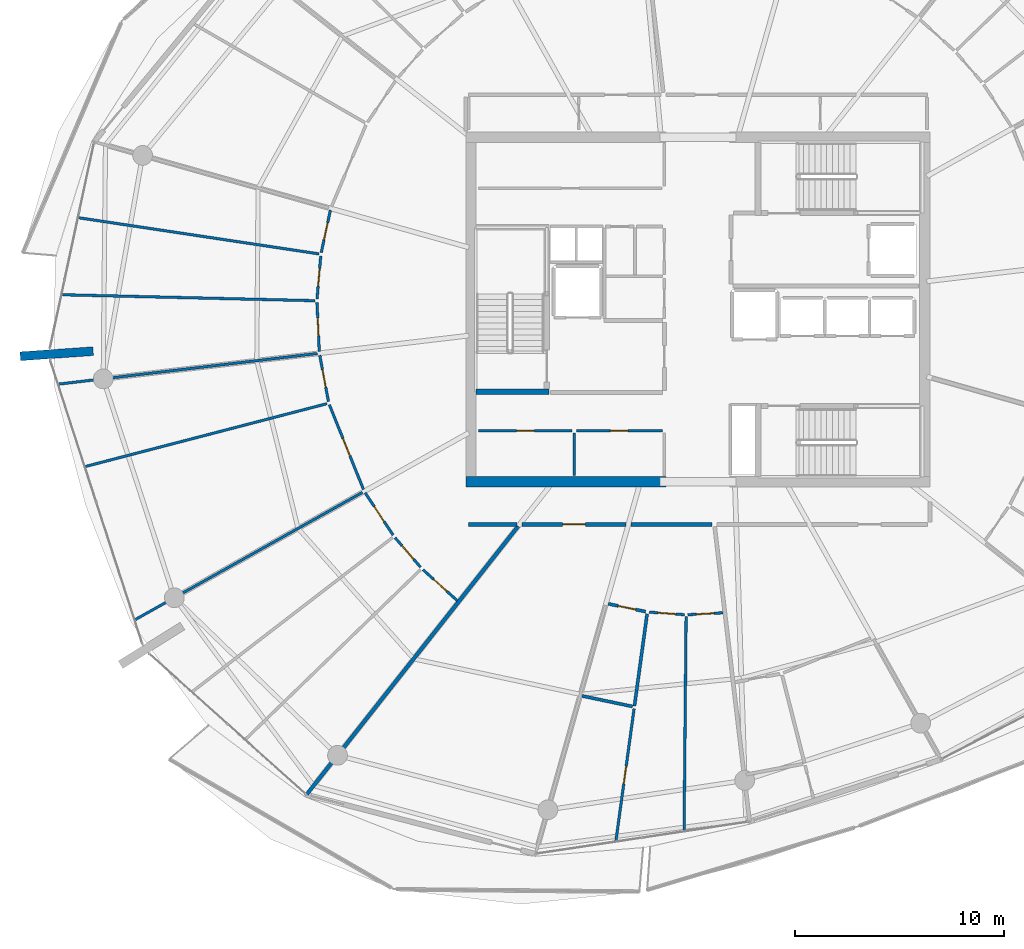
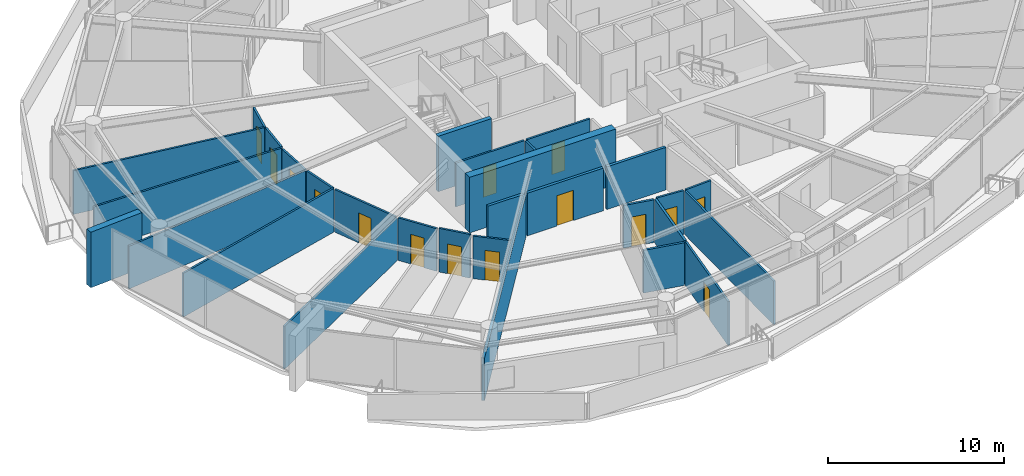
# One storey, part 18 of 31: 30 walls, 15 doors, 15 openings.
"""IFC4 building model written with IfcOpenShell, lengths in metres."""

from ifc_helpers import new_model, si_unit, direction, frame, frame_2d, origin, place, context, subcontext, project, spatial, rectangle, extrude, material, layer, layer_set, type_object, element, fill, save


model = new_model("IFC4")

# Units and contexts
model_context = context("Model", 3, precision=1e-05, world=origin(), true_north=direction((0.0, 1.0)))
body_context = subcontext(model_context, "Body", "Model", "MODEL_VIEW")
ifc_project = project(units=[si_unit("LENGTHUNIT", "METRE"), si_unit("AREAUNIT", "SQUARE_METRE"), si_unit("VOLUMEUNIT", "CUBIC_METRE"), si_unit("PLANEANGLEUNIT", "RADIAN"), si_unit("MASSUNIT", "GRAM", prefix="KILO")], contexts=[model_context])

# Site, building, storey
site_placement = place(None, origin())
site = spatial("IfcSite", under=ifc_project, at=site_placement, CompositionType="ELEMENT")
building_placement = place(site_placement, origin())
building = spatial("IfcBuilding", under=site, at=building_placement, Name="Kazma Halo Residences", CompositionType="ELEMENT")
storey_placement = place(building_placement, frame((0.0, 0.0, 275.199951171875)))
storey = spatial("IfcBuildingStorey", under=building, at=storey_placement, Name="L69", CompositionType="ELEMENT", Elevation=275.199951171875)

# Walls
ifc_material_1 = material(Name="Pale Concrete C60/75", Category="concrete")
ifc_layer_1 = layer(ifc_material_1, 0.419921875)
ifc_layer_set_1 = layer_set([ifc_layer_1], Name="Pale Concrete C60/75")
wall_type_1 = type_object("IfcWallType", Name="WL-BLADE-420", PredefinedType="SOLIDWALL", material=ifc_layer_set_1)
wall_1_placement = place(storey_placement, frame((19.4375, 40.002685546875, 0.0), z_axis=(0.0, 0.0, 1.0), x_axis=(-0.997563824095, -0.069759707979, 0.0)))
element("IfcWall", 1, at=wall_1_placement, inside=storey, type_object=wall_type_1, Name="L69 pale concrete structural blade fin wall BW-02", PredefinedType="SOLIDWALL", context=body_context, shape_type="SweptSolid", body=[
    extrude(rectangle(XDim=3.499755859375, YDim=0.419921875, at=frame_2d((1.75, 0.0))), origin(), (0.0, 0.0, 1.0), 3.85009765625),
])
ifc_material_2 = material(Name="Concrete C60/75", Category="concrete")
ifc_layer_2 = layer(ifc_material_2, 0.5)
ifc_layer_set_2 = layer_set([ifc_layer_2], Name="Concrete C60/75")
wall_type_2 = type_object("IfcWallType", Name="WL-CORE-500", PredefinedType="SHEAR", material=ifc_layer_set_2)
wall_2_placement = place(storey_placement, frame((37.300048828125, 33.75, 0.0), z_axis=(0.0, 0.0, 1.0), x_axis=(1.0, 0.0, 0.0)))
element("IfcWall", 2, at=wall_2_placement, inside=storey, type_object=wall_type_2, Name="L69 central core shear wall SW", PredefinedType="SHEAR", context=body_context, shape_type="SweptSolid", body=[
    extrude(rectangle(XDim=9.599853515625, YDim=0.5, at=frame_2d((4.7998046875, 0.0))), origin(), (0.0, 0.0, 1.0), 3.85009765625),
])
ifc_layer_3 = layer(ifc_material_2, 0.280029296875)
ifc_layer_set_3 = layer_set([ifc_layer_3], Name="Concrete C60/75")
wall_type_3 = type_object("IfcWallType", Name="WL-CORE-ST-280", PredefinedType="SHEAR", material=ifc_layer_set_3)
wall_3_placement = place(storey_placement, frame((37.800048828125, 38.06005859375, 0.0), z_axis=(0.0, 0.0, 1.0), x_axis=(1.0, 0.0, 0.0)))
element("IfcWall", 3, at=wall_3_placement, inside=storey, type_object=wall_type_3, Name="L69 stairwell bearing wall ST01-S", PredefinedType="SHEAR", context=body_context, shape_type="SweptSolid", body=[
    extrude(rectangle(XDim=3.5, YDim=0.280029296875, at=frame_2d((1.75, 0.0))), origin(), (0.0, 0.0, 1.0), 3.85009765625),
])
ifc_material_3 = material(Name="Acoustic Twin-Stud Gypsum")
ifc_layer_4 = layer(ifc_material_3, 0.179931640625)
ifc_layer_set_4 = layer_set([ifc_layer_4], Name="Acoustic Twin-Stud Gypsum")
wall_type_4 = type_object("IfcWallType", Name="WL-DEM-180", PredefinedType="PARTITIONING", material=ifc_layer_set_4)
wall_4_placement = place(storey_placement, frame((39.81201171875, 31.613525390625, 0.0), z_axis=(0.0, 0.0, 1.0), x_axis=(-0.619097230176, -0.785314344443, 0.0)))
element("IfcWall", 4, at=wall_4_placement, inside=storey, type_object=wall_type_4, Name="L69 apartment demising radial wall 09", PredefinedType="PARTITIONING", context=body_context, shape_type="SweptSolid", body=[
    extrude(rectangle(XDim=16.369873046875, YDim=0.179931640625, at=frame_2d((8.18505859375, 0.0))), origin(), (0.0, 0.0, 1.0), 2.95703125),
])
wall_5_placement = place(storey_placement, frame((37.419921875, 31.699951171875, 0.0), z_axis=(0.0, 0.0, 1.0), x_axis=(1.0, 0.0, 0.0)))
element("IfcWall", 5, at=wall_5_placement, inside=storey, type_object=wall_type_4, Name="L69 Apartment 1 inner wall 8", PredefinedType="PARTITIONING", context=body_context, shape_type="SweptSolid", body=[
    extrude(rectangle(XDim=2.340087890625, YDim=0.179931640625, at=frame_2d((1.169921875, 0.0))), origin(), (0.0, 0.0, 1.0), 2.95703125),
])

# Wall, opening, door
wall_6_placement = place(storey_placement, frame((40.0, 31.699951171875, 0.0), z_axis=(0.0, 0.0, 1.0), x_axis=(1.0, 0.0, 0.0)))
wall_6 = element("IfcWall", 6, at=wall_6_placement, inside=storey, type_object=wall_type_4, Name="L69 Apartment 2 entrance corridor wall", PredefinedType="PARTITIONING", context=body_context, shape_type="SweptSolid", body=[
    extrude(rectangle(XDim=4.97509765625, YDim=0.179931640625, at=frame_2d((2.487548828125, 0.0))), origin(), (0.0, 0.0, 1.0), 2.95703125),
])
opening_1_placement = place(wall_6_placement, frame((1.9375, 0.0, 0.0)))
opening_1 = element("IfcOpeningElement", 7, at=opening_1_placement, cuts=wall_6, Name="Opening DA-1100", PredefinedType="OPENING", context=body_context, shape_type="SweptSolid", body=[
    extrude(rectangle(XDim=1.10009765625, YDim=2.10009765625, at=frame_2d((0.550048828125, 1.050048828125))), frame((0.0, 0.099853515625, 0.0), z_axis=(0.0, -1.0, 0.0), x_axis=(1.0, 0.0, 0.0)), (0.0, 0.0, 1.0), 0.199951171875),
])
ifc_material_4 = material(Name="Acoustic Walnut Fire Leaf")
door_type_1 = type_object("IfcDoorType", Name="DR-FD60-1100", OperationType="NOTDEFINED", PredefinedType="DOOR", material=ifc_material_4)
door_1_placement = place(opening_1_placement, origin())
door_1 = element("IfcDoor", 8, at=door_1_placement, inside=storey, type_object=door_type_1, Name="L69 Apartment 2 entrance fire door", OperationType="SINGLE_SWING_RIGHT", OverallHeight=2.10009765625, OverallWidth=1.10009765625, PredefinedType="DOOR", context=body_context, shape_type="SweptSolid", body=[
    extrude(rectangle(XDim=1.10009765625, YDim=2.10009765625, at=frame_2d((0.550048828125, 1.050048828125))), frame((0.0, 0.02490234375, 0.0), z_axis=(0.0, -1.0, 0.0), x_axis=(1.0, 0.0, 0.0)), (0.0, 0.0, 1.0), 0.050048828125),
])
fill(opening_1, door_1)

# Walls
wall_7_placement = place(storey_placement, frame((45.215087890625, 31.699951171875, 0.0), z_axis=(0.0, 0.0, 1.0), x_axis=(1.0, 0.0, 0.0)))
element("IfcWall", 9, at=wall_7_placement, inside=storey, type_object=wall_type_4, Name="L69 Apartment 2 inner wall 10", PredefinedType="PARTITIONING", context=body_context, shape_type="SweptSolid", body=[
    extrude(rectangle(XDim=3.884033203125, YDim=0.179931640625, at=frame_2d((1.94189453125, 0.0))), origin(), (0.0, 0.0, 1.0), 2.95703125),
])
ifc_material_5 = material(Name="Gypsum Plasterboard Partition")
ifc_layer_5 = layer(ifc_material_5, 0.125)
ifc_layer_set_5 = layer_set([ifc_layer_5], Name="Gypsum Plasterboard Partition")
wall_type_5 = type_object("IfcWallType", Name="WL-PART-125", PredefinedType="PARTITIONING", material=ifc_layer_set_5)
wall_8_placement = place(storey_placement, frame((42.5, 34.050048828125, 0.0), z_axis=(0.0, 0.0, 1.0), x_axis=(0.0, 1.0, 0.0)))
element("IfcWall", 10, at=wall_8_placement, inside=storey, type_object=wall_type_5, Name="L69 reclaimed south divider wall", PredefinedType="PARTITIONING", context=body_context, shape_type="SweptSolid", body=[
    extrude(rectangle(XDim=2.030029296875, YDim=0.125, at=frame_2d((1.01513671875, 0.0))), origin(), (0.0, 0.0, 1.0), 3.030029296875),
])

# Wall, opening, door
wall_9_placement = place(storey_placement, frame((37.919921875, 36.179931640625, 0.0), z_axis=(0.0, 0.0, 1.0), x_axis=(1.0, 0.0, 0.0)))
wall_9 = element("IfcWall", 11, at=wall_9_placement, inside=storey, type_object=wall_type_5, Name="L69 reclaimed south W front wall", PredefinedType="PARTITIONING", context=body_context, shape_type="SweptSolid", body=[
    extrude(rectangle(XDim=4.47998046875, YDim=0.125, at=frame_2d((2.239990234375, 0.0))), origin(), (0.0, 0.0, 1.0), 3.030029296875),
])
opening_2_placement = place(wall_9_placement, frame((1.81494140625, 0.0, 0.0)))
opening_2 = element("IfcOpeningElement", 12, at=opening_2_placement, cuts=wall_9, Name="Opening DS-850", PredefinedType="OPENING", context=body_context, shape_type="SweptSolid", body=[
    extrude(rectangle(XDim=0.85009765625, YDim=2.06005859375, at=frame_2d((0.425048828125, 1.030029296875))), frame((0.0, 0.072509765625, 0.0), z_axis=(0.0, -1.0, 0.0), x_axis=(1.0, 0.0, 0.0)), (0.0, 0.0, 1.0), 0.14501953125),
])
ifc_material_6 = material(Name="Painted Steel Access Leaf", Category="steel")
door_type_2 = type_object("IfcDoorType", Name="DR-SVC-850", OperationType="NOTDEFINED", PredefinedType="DOOR", material=ifc_material_6)
door_2_placement = place(opening_2_placement, origin())
door_2 = element("IfcDoor", 13, at=door_2_placement, inside=storey, type_object=door_type_2, Name="L69 reclaimed south W door", OperationType="SINGLE_SWING_RIGHT", OverallHeight=2.06005859375, OverallWidth=0.85009765625, PredefinedType="DOOR", context=body_context, shape_type="SweptSolid", body=[
    extrude(rectangle(XDim=0.85009765625, YDim=2.06005859375, at=frame_2d((0.425048828125, 1.030029296875))), frame((0.0, 0.02490234375, 0.0), z_axis=(0.0, -1.0, 0.0), x_axis=(1.0, 0.0, 0.0)), (0.0, 0.0, 1.0), 0.050048828125),
])
fill(opening_2, door_2)

wall_10_placement = place(storey_placement, frame((42.60009765625, 36.179931640625, 0.0), z_axis=(0.0, 0.0, 1.0), x_axis=(1.0, 0.0, 0.0)))
wall_10 = element("IfcWall", 14, at=wall_10_placement, inside=storey, type_object=wall_type_5, Name="L69 reclaimed south E front wall", PredefinedType="PARTITIONING", context=body_context, shape_type="SweptSolid", body=[
    extrude(rectangle(XDim=4.119873046875, YDim=0.125, at=frame_2d((2.06005859375, 0.0))), origin(), (0.0, 0.0, 1.0), 3.030029296875),
])
opening_3_placement = place(wall_10_placement, frame((1.635009765625, 0.0, 0.0)))
opening_3 = element("IfcOpeningElement", 15, at=opening_3_placement, cuts=wall_10, Name="Opening DS-850", PredefinedType="OPENING", context=body_context, shape_type="SweptSolid", body=[
    extrude(rectangle(XDim=0.85009765625, YDim=2.06005859375, at=frame_2d((0.425048828125, 1.030029296875))), frame((0.0, 0.072509765625, 0.0), z_axis=(0.0, -1.0, 0.0), x_axis=(1.0, 0.0, 0.0)), (0.0, 0.0, 1.0), 0.14501953125),
])
door_3_placement = place(opening_3_placement, origin())
door_3 = element("IfcDoor", 16, at=door_3_placement, inside=storey, type_object=door_type_2, Name="L69 reclaimed south E door", OperationType="SINGLE_SWING_LEFT", OverallHeight=2.06005859375, OverallWidth=0.85009765625, PredefinedType="DOOR", context=body_context, shape_type="SweptSolid", body=[
    extrude(rectangle(XDim=0.85009765625, YDim=2.06005859375, at=frame_2d((0.425048828125, 1.030029296875))), frame((0.0, 0.02490234375, 0.0), z_axis=(0.0, -1.0, 0.0), x_axis=(1.0, 0.0, 0.0)), (0.0, 0.0, 1.0), 0.050048828125),
])
fill(opening_3, door_3)

# Walls
wall_11_placement = place(storey_placement, frame((30.267333984375, 44.666015625, 0.0), z_axis=(0.0, 0.0, 1.0), x_axis=(-0.988886077573, 0.148675235266, 0.0)))
element("IfcWall", 17, at=wall_11_placement, inside=storey, type_object=wall_type_5, Name="L69 Apartment 1 bay wall 1 6", PredefinedType="PARTITIONING", context=body_context, shape_type="SweptSolid", body=[
    extrude(rectangle(XDim=11.66064453125, YDim=0.125, at=frame_2d((5.830322265625, 0.0))), origin(), (0.0, 0.0, 1.0), 3.030029296875),
])
wall_12_placement = place(storey_placement, frame((30.072998046875, 42.422607421875, 0.0), z_axis=(0.0, 0.0, 1.0), x_axis=(-0.999722774678, 0.023545143653, 0.0)))
element("IfcWall", 18, at=wall_12_placement, inside=storey, type_object=wall_type_5, Name="L69 Apartment 1 bay wall 2 6", PredefinedType="PARTITIONING", context=body_context, shape_type="SweptSolid", body=[
    extrude(rectangle(XDim=12.1318359375, YDim=0.125, at=frame_2d((6.06591796875, 0.0))), origin(), (0.0, 0.0, 1.0), 3.030029296875),
])

# Wall, opening, door
wall_13_placement = place(storey_placement, frame((30.81103515625, 46.764892578125, 0.0), z_axis=(0.0, 0.0, 1.0), x_axis=(-0.210490523381, -0.977595897888, 0.0)))
wall_13 = element("IfcWall", 19, at=wall_13_placement, inside=storey, type_object=wall_type_5, Name="L69 Apartment 1 East Bedroom hall wall", PredefinedType="PARTITIONING", context=body_context, shape_type="SweptSolid", body=[
    extrude(rectangle(XDim=2.080810546875, YDim=0.125, at=frame_2d((1.04052734375, 0.0))), origin(), (0.0, 0.0, 1.0), 2.95703125),
])
opening_4_placement = place(wall_13_placement, frame((0.615234375, 0.0, 0.0)))
opening_4 = element("IfcOpeningElement", 20, at=opening_4_placement, cuts=wall_13, Name="Opening DB-900", PredefinedType="OPENING", context=body_context, shape_type="SweptSolid", body=[
    extrude(rectangle(XDim=0.85009765625, YDim=2.06005859375, at=frame_2d((0.425048828125, 1.030029296875))), frame((0.0, 0.072509765625, 0.0), z_axis=(0.0, -1.0, 0.0), x_axis=(1.0, 0.0, 0.0)), (0.0, 0.0, 1.0), 0.14501953125),
])
ifc_material_7 = material(Name="Moisture-Sealed Timber Leaf", Category="wood")
door_type_3 = type_object("IfcDoorType", Name="DR-BTH-900", OperationType="NOTDEFINED", PredefinedType="DOOR", material=ifc_material_7)
door_4_placement = place(opening_4_placement, origin())
door_4 = element("IfcDoor", 21, at=door_4_placement, inside=storey, type_object=door_type_3, Name="L69 Apartment 1 East Bedroom door", OperationType="SINGLE_SWING_LEFT", OverallHeight=2.06005859375, OverallWidth=0.85009765625, PredefinedType="DOOR", context=body_context, shape_type="SweptSolid", body=[
    extrude(rectangle(XDim=0.85009765625, YDim=2.06005859375, at=frame_2d((0.425048828125, 1.030029296875))), frame((0.0, 0.02490234375, 0.0), z_axis=(0.0, -1.0, 0.0), x_axis=(1.0, 0.0, 0.0)), (0.0, 0.0, 1.0), 0.050048828125),
])
fill(opening_4, door_4)

wall_14_placement = place(storey_placement, frame((30.349365234375, 44.572998046875, 0.0), z_axis=(0.0, 0.0, 1.0), x_axis=(-0.08623974721, -0.996274413001, 0.0)))
wall_14 = element("IfcWall", 22, at=wall_14_placement, inside=storey, type_object=wall_type_5, Name="L69 Apartment 1 West Dressing Wardrobe hall wall", PredefinedType="PARTITIONING", context=body_context, shape_type="SweptSolid", body=[
    extrude(rectangle(XDim=2.080810546875, YDim=0.125, at=frame_2d((1.04052734375, 0.0))), origin(), (0.0, 0.0, 1.0), 3.030029296875),
])
opening_5_placement = place(wall_14_placement, frame((0.615234375, 0.0, 0.0)))
opening_5 = element("IfcOpeningElement", 23, at=opening_5_placement, cuts=wall_14, Name="Opening DB-900", PredefinedType="OPENING", context=body_context, shape_type="SweptSolid", body=[
    extrude(rectangle(XDim=0.85009765625, YDim=2.06005859375, at=frame_2d((0.425048828125, 1.030029296875))), frame((0.0, 0.072509765625, 0.0), z_axis=(0.0, -1.0, 0.0), x_axis=(1.0, 0.0, 0.0)), (0.0, 0.0, 1.0), 0.14501953125),
])
door_5_placement = place(opening_5_placement, origin())
door_5 = element("IfcDoor", 24, at=door_5_placement, inside=storey, type_object=door_type_3, Name="L69 Apartment 1 West Dressing Wardrobe door", OperationType="SINGLE_SWING_RIGHT", OverallHeight=2.06005859375, OverallWidth=0.85009765625, PredefinedType="DOOR", context=body_context, shape_type="SweptSolid", body=[
    extrude(rectangle(XDim=0.85009765625, YDim=2.06005859375, at=frame_2d((0.425048828125, 1.030029296875))), frame((0.0, 0.02490234375, 0.0), z_axis=(0.0, -1.0, 0.0), x_axis=(1.0, 0.0, 0.0)), (0.0, 0.0, 1.0), 0.050048828125),
])
fill(opening_5, door_5)

wall_15_placement = place(storey_placement, frame((30.166748046875, 42.340576171875, 0.0), z_axis=(0.0, 0.0, 1.0), x_axis=(0.047063871423, -0.998891882041, 0.0)))
wall_15 = element("IfcWall", 25, at=wall_15_placement, inside=storey, type_object=wall_type_5, Name="L69 Apartment 1 North Master Bedroom hall wall", PredefinedType="PARTITIONING", context=body_context, shape_type="SweptSolid", body=[
    extrude(rectangle(XDim=2.3603515625, YDim=0.125, at=frame_2d((1.18017578125, 0.0))), origin(), (0.0, 0.0, 1.0), 2.95703125),
])
opening_6_placement = place(wall_15_placement, frame((0.755126953125, 0.0, 0.0)))
opening_6 = element("IfcOpeningElement", 26, at=opening_6_placement, cuts=wall_15, Name="Opening DB-900", PredefinedType="OPENING", context=body_context, shape_type="SweptSolid", body=[
    extrude(rectangle(XDim=0.85009765625, YDim=2.06005859375, at=frame_2d((0.425048828125, 1.030029296875))), frame((0.0, 0.072509765625, 0.0), z_axis=(0.0, -1.0, 0.0), x_axis=(1.0, 0.0, 0.0)), (0.0, 0.0, 1.0), 0.14501953125),
])
door_6_placement = place(opening_6_placement, origin())
door_6 = element("IfcDoor", 27, at=door_6_placement, inside=storey, type_object=door_type_3, Name="L69 Apartment 1 North Master Bedroom door", OperationType="SINGLE_SWING_LEFT", OverallHeight=2.06005859375, OverallWidth=0.85009765625, PredefinedType="DOOR", context=body_context, shape_type="SweptSolid", body=[
    extrude(rectangle(XDim=0.85009765625, YDim=2.06005859375, at=frame_2d((0.425048828125, 1.030029296875))), frame((0.0, 0.02490234375, 0.0), z_axis=(0.0, -1.0, 0.0), x_axis=(1.0, 0.0, 0.0)), (0.0, 0.0, 1.0), 0.050048828125),
])
fill(opening_6, door_6)

# Walls
wall_16_placement = place(storey_placement, frame((30.182373046875, 39.89111328125, 0.0), z_axis=(0.0, 0.0, 1.0), x_axis=(-0.993068421431, -0.117537697601, 0.0)))
element("IfcWall", 28, at=wall_16_placement, inside=storey, type_object=wall_type_5, Name="L69 Apartment 1 radial partition 7", PredefinedType="PARTITIONING", context=body_context, shape_type="SweptSolid", body=[
    extrude(rectangle(XDim=12.48779296875, YDim=0.125, at=frame_2d((6.243896484375, 0.0))), origin(), (0.0, 0.0, 1.0), 2.95703125),
])
wall_17_placement = place(storey_placement, frame((30.6455078125, 37.48583984375, 0.0), z_axis=(0.0, 0.0, 1.0), x_axis=(-0.967801832841, -0.251713353539, 0.0)))
element("IfcWall", 29, at=wall_17_placement, inside=storey, type_object=wall_type_5, Name="L69 Apartment 1 mid-bay wall 7", PredefinedType="PARTITIONING", context=body_context, shape_type="SweptSolid", body=[
    extrude(rectangle(XDim=11.9658203125, YDim=0.125, at=frame_2d((5.98291015625, 0.0))), origin(), (0.0, 0.0, 1.0), 3.030029296875),
])

# Wall, opening, door
wall_18_placement = place(storey_placement, frame((30.30029296875, 39.8046875, 0.0), z_axis=(0.0, 0.0, 1.0), x_axis=(0.185013596113, -0.982735961107, 0.0)))
wall_18 = element("IfcWall", 30, at=wall_18_placement, inside=storey, type_object=wall_type_5, Name="L69 Apartment 1 South Wine Pantry Store hall wall", PredefinedType="PARTITIONING", context=body_context, shape_type="SweptSolid", body=[
    extrude(rectangle(XDim=2.256591796875, YDim=0.125, at=frame_2d((1.12841796875, 0.0))), origin(), (0.0, 0.0, 1.0), 2.95703125),
])
opening_7_placement = place(wall_18_placement, frame((0.703125, 0.0, 0.0)))
opening_7 = element("IfcOpeningElement", 31, at=opening_7_placement, cuts=wall_18, Name="Opening DB-900", PredefinedType="OPENING", context=body_context, shape_type="SweptSolid", body=[
    extrude(rectangle(XDim=0.85009765625, YDim=2.06005859375, at=frame_2d((0.425048828125, 1.030029296875))), frame((0.0, 0.072509765625, 0.0), z_axis=(0.0, -1.0, 0.0), x_axis=(1.0, 0.0, 0.0)), (0.0, 0.0, 1.0), 0.14501953125),
])
door_7_placement = place(opening_7_placement, origin())
door_7 = element("IfcDoor", 32, at=door_7_placement, inside=storey, type_object=door_type_3, Name="L69 Apartment 1 South Wine Pantry Store door", OperationType="SINGLE_SWING_LEFT", OverallHeight=2.06005859375, OverallWidth=0.85009765625, PredefinedType="DOOR", context=body_context, shape_type="SweptSolid", body=[
    extrude(rectangle(XDim=0.85009765625, YDim=2.06005859375, at=frame_2d((0.425048828125, 1.030029296875))), frame((0.0, 0.02490234375, 0.0), z_axis=(0.0, -1.0, 0.0), x_axis=(1.0, 0.0, 0.0)), (0.0, 0.0, 1.0), 0.050048828125),
])
fill(opening_7, door_7)

wall_19_placement = place(storey_placement, frame((30.762451171875, 37.434326171875, 0.0), z_axis=(0.0, 0.0, 1.0), x_axis=(0.373208088993, -0.927747660903, 0.0)))
wall_19 = element("IfcWall", 33, at=wall_19_placement, inside=storey, type_object=wall_type_5, Name="L69 Apartment 1 Inner Formal Dining Room hall wall", PredefinedType="PARTITIONING", context=body_context, shape_type="SweptSolid", body=[
    extrude(rectangle(XDim=4.375732421875, YDim=0.125, at=frame_2d((2.18798828125, 0.0))), origin(), (0.0, 0.0, 1.0), 2.95703125),
])
opening_8_placement = place(wall_19_placement, frame((1.73779296875, 0.0, 0.0)))
opening_8 = element("IfcOpeningElement", 34, at=opening_8_placement, cuts=wall_19, Name="Opening DI-950", PredefinedType="OPENING", context=body_context, shape_type="SweptSolid", body=[
    extrude(rectangle(XDim=0.89990234375, YDim=2.080078125, at=frame_2d((0.449951171875, 1.0400390625))), frame((0.0, 0.072509765625, 0.0), z_axis=(0.0, -1.0, 0.0), x_axis=(1.0, 0.0, 0.0)), (0.0, 0.0, 1.0), 0.14501953125),
])
ifc_material_8 = material(Name="Timber Veneer Flush Leaf", Category="wood")
door_type_4 = type_object("IfcDoorType", Name="DR-INT-950", OperationType="NOTDEFINED", PredefinedType="DOOR", material=ifc_material_8)
door_8_placement = place(opening_8_placement, origin())
door_8 = element("IfcDoor", 35, at=door_8_placement, inside=storey, type_object=door_type_4, Name="L69 Apartment 1 Inner Formal Dining Room door", OperationType="SINGLE_SWING_RIGHT", OverallHeight=2.080078125, OverallWidth=0.89990234375, PredefinedType="DOOR", context=body_context, shape_type="SweptSolid", body=[
    extrude(rectangle(XDim=0.89990234375, YDim=2.080078125, at=frame_2d((0.449951171875, 1.0400390625))), frame((0.0, 0.02490234375, 0.0), z_axis=(0.0, -1.0, 0.0), x_axis=(1.0, 0.0, 0.0)), (0.0, 0.0, 1.0), 0.050048828125),
])
fill(opening_8, door_8)

# Wall
wall_20_placement = place(storey_placement, frame((32.345703125, 33.233154296875, 0.0), z_axis=(0.0, 0.0, 1.0), x_axis=(-0.872495014167, -0.488623014454, 0.0)))
element("IfcWall", 36, at=wall_20_placement, inside=storey, type_object=wall_type_5, Name="L69 Apartment 1 radial partition 8", PredefinedType="PARTITIONING", context=body_context, shape_type="SweptSolid", body=[
    extrude(rectangle(XDim=12.48779296875, YDim=0.125, at=frame_2d((6.243896484375, 0.0))), origin(), (0.0, 0.0, 1.0), 2.95703125),
])

# Wall, opening, door
wall_21_placement = place(storey_placement, frame((32.47705078125, 33.215087890625, 0.0), z_axis=(0.0, 0.0, 1.0), x_axis=(0.550682631302, -0.834714705502, 0.0)))
wall_21 = element("IfcWall", 37, at=wall_21_placement, inside=storey, type_object=wall_type_5, Name="L69 Apartment 1 Outer Master Bedroom hall wall", PredefinedType="PARTITIONING", context=body_context, shape_type="SweptSolid", body=[
    extrude(rectangle(XDim=2.429931640625, YDim=0.125, at=frame_2d((1.21484375, 0.0))), origin(), (0.0, 0.0, 1.0), 2.95703125),
])
opening_9_placement = place(wall_21_placement, frame((0.7900390625, 0.0, 0.0)))
opening_9 = element("IfcOpeningElement", 38, at=opening_9_placement, cuts=wall_21, Name="Opening DB-900", PredefinedType="OPENING", context=body_context, shape_type="SweptSolid", body=[
    extrude(rectangle(XDim=0.85009765625, YDim=2.06005859375, at=frame_2d((0.425048828125, 1.030029296875))), frame((0.0, 0.072509765625, 0.0), z_axis=(0.0, -1.0, 0.0), x_axis=(1.0, 0.0, 0.0)), (0.0, 0.0, 1.0), 0.14501953125),
])
door_9_placement = place(opening_9_placement, origin())
door_9 = element("IfcDoor", 39, at=door_9_placement, inside=storey, type_object=door_type_3, Name="L69 Apartment 1 Outer Master Bedroom door", OperationType="SINGLE_SWING_LEFT", OverallHeight=2.06005859375, OverallWidth=0.85009765625, PredefinedType="DOOR", context=body_context, shape_type="SweptSolid", body=[
    extrude(rectangle(XDim=0.85009765625, YDim=2.06005859375, at=frame_2d((0.425048828125, 1.030029296875))), frame((0.0, 0.02490234375, 0.0), z_axis=(0.0, -1.0, 0.0), x_axis=(1.0, 0.0, 0.0)), (0.0, 0.0, 1.0), 0.050048828125),
])
fill(opening_9, door_9)

wall_22_placement = place(storey_placement, frame((33.91162109375, 31.0595703125, 0.0), z_axis=(0.0, 0.0, 1.0), x_axis=(0.65389162061, -0.756588229155, 0.0)))
wall_22 = element("IfcWall", 40, at=wall_22_placement, inside=storey, type_object=wall_type_5, Name="L69 Apartment 1 Corner Dressing Wardrobe hall wall", PredefinedType="PARTITIONING", context=body_context, shape_type="SweptSolid", body=[
    extrude(rectangle(XDim=1.870849609375, YDim=0.125, at=frame_2d((0.935546875, 0.0))), origin(), (0.0, 0.0, 1.0), 3.030029296875),
])
opening_10_placement = place(wall_22_placement, frame((0.510498046875, 0.0, 0.0)))
opening_10 = element("IfcOpeningElement", 41, at=opening_10_placement, cuts=wall_22, Name="Opening DB-900", PredefinedType="OPENING", context=body_context, shape_type="SweptSolid", body=[
    extrude(rectangle(XDim=0.85009765625, YDim=2.06005859375, at=frame_2d((0.425048828125, 1.030029296875))), frame((0.0, 0.072509765625, 0.0), z_axis=(0.0, -1.0, 0.0), x_axis=(1.0, 0.0, 0.0)), (0.0, 0.0, 1.0), 0.14501953125),
])
door_10_placement = place(opening_10_placement, origin())
door_10 = element("IfcDoor", 42, at=door_10_placement, inside=storey, type_object=door_type_3, Name="L69 Apartment 1 Corner Dressing Wardrobe door", OperationType="SINGLE_SWING_RIGHT", OverallHeight=2.06005859375, OverallWidth=0.85009765625, PredefinedType="DOOR", context=body_context, shape_type="SweptSolid", body=[
    extrude(rectangle(XDim=0.85009765625, YDim=2.06005859375, at=frame_2d((0.425048828125, 1.030029296875))), frame((0.0, 0.02490234375, 0.0), z_axis=(0.0, -1.0, 0.0), x_axis=(1.0, 0.0, 0.0)), (0.0, 0.0, 1.0), 0.050048828125),
])
fill(opening_10, door_10)

wall_23_placement = place(storey_placement, frame((35.24658203125, 29.52978515625, 0.0), z_axis=(0.0, 0.0, 1.0), x_axis=(0.742303741258, -0.670063546027, 0.0)))
wall_23 = element("IfcWall", 43, at=wall_23_placement, inside=storey, type_object=wall_type_5, Name="L69 Apartment 1 Garden Bedroom hall wall", PredefinedType="PARTITIONING", context=body_context, shape_type="SweptSolid", body=[
    extrude(rectangle(XDim=2.220458984375, YDim=0.125, at=frame_2d((1.1103515625, 0.0))), origin(), (0.0, 0.0, 1.0), 2.95703125),
])
opening_11_placement = place(wall_23_placement, frame((0.685302734375, 0.0, 0.0)))
opening_11 = element("IfcOpeningElement", 44, at=opening_11_placement, cuts=wall_23, Name="Opening DB-900", PredefinedType="OPENING", context=body_context, shape_type="SweptSolid", body=[
    extrude(rectangle(XDim=0.85009765625, YDim=2.06005859375, at=frame_2d((0.425048828125, 1.030029296875))), frame((0.0, 0.072509765625, 0.0), z_axis=(0.0, -1.0, 0.0), x_axis=(1.0, 0.0, 0.0)), (0.0, 0.0, 1.0), 0.14501953125),
])
door_11_placement = place(opening_11_placement, origin())
door_11 = element("IfcDoor", 45, at=door_11_placement, inside=storey, type_object=door_type_3, Name="L69 Apartment 1 Garden Bedroom door", OperationType="SINGLE_SWING_LEFT", OverallHeight=2.06005859375, OverallWidth=0.85009765625, PredefinedType="DOOR", context=body_context, shape_type="SweptSolid", body=[
    extrude(rectangle(XDim=0.85009765625, YDim=2.06005859375, at=frame_2d((0.425048828125, 1.030029296875))), frame((0.0, 0.02490234375, 0.0), z_axis=(0.0, -1.0, 0.0), x_axis=(1.0, 0.0, 0.0)), (0.0, 0.0, 1.0), 0.050048828125),
])
fill(opening_11, door_11)

wall_24_placement = place(storey_placement, frame((45.368408203125, 22.864013671875, 0.0), z_axis=(0.0, 0.0, 1.0), x_axis=(-0.136200589596, -0.99068128043, 0.0)))
wall_24 = element("IfcWall", 46, at=wall_24_placement, inside=storey, type_object=wall_type_5, Name="L69 Apartment 2 Household Store Room partition wall", PredefinedType="PARTITIONING", context=body_context, shape_type="SweptSolid", body=[
    extrude(rectangle(XDim=6.411865234375, YDim=0.125, at=frame_2d((3.2060546875, 0.0))), origin(), (0.0, 0.0, 1.0), 3.030029296875),
])
opening_12_placement = place(wall_24_placement, frame((2.781005859375, 0.0, 0.0)))
opening_12 = element("IfcOpeningElement", 47, at=opening_12_placement, cuts=wall_24, Name="Opening DB-900", PredefinedType="OPENING", context=body_context, shape_type="SweptSolid", body=[
    extrude(rectangle(XDim=0.85009765625, YDim=2.06005859375, at=frame_2d((0.425048828125, 1.030029296875))), frame((0.0, 0.072509765625, 0.0), z_axis=(0.0, -1.0, 0.0), x_axis=(1.0, 0.0, 0.0)), (0.0, 0.0, 1.0), 0.14501953125),
])
door_12_placement = place(opening_12_placement, origin())
door_12 = element("IfcDoor", 48, at=door_12_placement, inside=storey, type_object=door_type_3, Name="L69 Apartment 2 Household Store Room door", OperationType="SINGLE_SWING_LEFT", OverallHeight=2.06005859375, OverallWidth=0.85009765625, PredefinedType="DOOR", context=body_context, shape_type="SweptSolid", body=[
    extrude(rectangle(XDim=0.85009765625, YDim=2.06005859375, at=frame_2d((0.425048828125, 1.030029296875))), frame((0.0, 0.02490234375, 0.0), z_axis=(0.0, -1.0, 0.0), x_axis=(1.0, 0.0, 0.0)), (0.0, 0.0, 1.0), 0.050048828125),
])
fill(opening_12, door_12)

# Wall
wall_25_placement = place(storey_placement, frame((47.861328125, 27.274658203125, 0.0), z_axis=(0.0, 0.0, 1.0), x_axis=(-0.009436905939, -0.999955471412, 0.0)))
element("IfcWall", 49, at=wall_25_placement, inside=storey, type_object=wall_type_5, Name="L69 Apartment 2 suite divider 10", PredefinedType="PARTITIONING", context=body_context, shape_type="SweptSolid", body=[
    extrude(rectangle(XDim=10.270751953125, YDim=0.125, at=frame_2d((5.13525390625, 0.0))), origin(), (0.0, 0.0, 1.0), 3.030029296875),
])

# Wall, opening, door
wall_26_placement = place(storey_placement, frame((46.095947265625, 27.493896484375, 0.0), z_axis=(0.0, 0.0, 1.0), x_axis=(0.997337823183, -0.072919588925, 0.0)))
wall_26 = element("IfcWall", 50, at=wall_26_placement, inside=storey, type_object=wall_type_5, Name="L69 Apartment 2 Gourmet Kitchen hall wall", PredefinedType="PARTITIONING", context=body_context, shape_type="SweptSolid", body=[
    extrude(rectangle(XDim=1.690673828125, YDim=0.125, at=frame_2d((0.84521484375, 0.0))), origin(), (0.0, 0.0, 1.0), 3.030029296875),
])
opening_13_placement = place(wall_26_placement, frame((0.42041015625, 0.0, 0.0)))
opening_13 = element("IfcOpeningElement", 51, at=opening_13_placement, cuts=wall_26, Name="Opening DB-900", PredefinedType="OPENING", context=body_context, shape_type="SweptSolid", body=[
    extrude(rectangle(XDim=0.85009765625, YDim=2.06005859375, at=frame_2d((0.425048828125, 1.030029296875))), frame((0.0, 0.072509765625, 0.0), z_axis=(0.0, -1.0, 0.0), x_axis=(1.0, 0.0, 0.0)), (0.0, 0.0, 1.0), 0.14501953125),
])
door_13_placement = place(opening_13_placement, origin())
door_13 = element("IfcDoor", 52, at=door_13_placement, inside=storey, type_object=door_type_3, Name="L69 Apartment 2 Gourmet Kitchen door", OperationType="SINGLE_SWING_RIGHT", OverallHeight=2.06005859375, OverallWidth=0.85009765625, PredefinedType="DOOR", context=body_context, shape_type="SweptSolid", body=[
    extrude(rectangle(XDim=0.85009765625, YDim=2.06005859375, at=frame_2d((0.425048828125, 1.030029296875))), frame((0.0, 0.02490234375, 0.0), z_axis=(0.0, -1.0, 0.0), x_axis=(1.0, 0.0, 0.0)), (0.0, 0.0, 1.0), 0.050048828125),
])
fill(opening_13, door_13)

wall_27_placement = place(storey_placement, frame((47.94189453125, 27.368896484375, 0.0), z_axis=(0.0, 0.0, 1.0), x_axis=(0.998523596101, 0.054319683628, 0.0)))
wall_27 = element("IfcWall", 53, at=wall_27_placement, inside=storey, type_object=wall_type_5, Name="L69 Apartment 2 Primary Bedroom hall wall", PredefinedType="PARTITIONING", context=body_context, shape_type="SweptSolid", body=[
    extrude(rectangle(XDim=1.680908203125, YDim=0.125, at=frame_2d((0.84033203125, 0.0))), origin(), (0.0, 0.0, 1.0), 3.030029296875),
])
opening_14_placement = place(wall_27_placement, frame((0.415283203125, 0.0, 0.0)))
opening_14 = element("IfcOpeningElement", 54, at=opening_14_placement, cuts=wall_27, Name="Opening DB-900", PredefinedType="OPENING", context=body_context, shape_type="SweptSolid", body=[
    extrude(rectangle(XDim=0.85009765625, YDim=2.06005859375, at=frame_2d((0.425048828125, 1.030029296875))), frame((0.0, 0.072509765625, 0.0), z_axis=(0.0, -1.0, 0.0), x_axis=(1.0, 0.0, 0.0)), (0.0, 0.0, 1.0), 0.14501953125),
])
door_14_placement = place(opening_14_placement, origin())
door_14 = element("IfcDoor", 55, at=door_14_placement, inside=storey, type_object=door_type_3, Name="L69 Apartment 2 Primary Bedroom door", OperationType="SINGLE_SWING_LEFT", OverallHeight=2.06005859375, OverallWidth=0.85009765625, PredefinedType="DOOR", context=body_context, shape_type="SweptSolid", body=[
    extrude(rectangle(XDim=0.85009765625, YDim=2.06005859375, at=frame_2d((0.425048828125, 1.030029296875))), frame((0.0, 0.02490234375, 0.0), z_axis=(0.0, -1.0, 0.0), x_axis=(1.0, 0.0, 0.0)), (0.0, 0.0, 1.0), 0.050048828125),
])
fill(opening_14, door_14)

ifc_material_9 = material(Name="Moisture-Resistant Gypsum")
ifc_layer_6 = layer(ifc_material_9, 0.14990234375)
ifc_layer_set_6 = layer_set([ifc_layer_6], Name="Moisture-Resistant Gypsum")
wall_type_6 = type_object("IfcWallType", Name="WL-WET-150", PredefinedType="PARTITIONING", material=ifc_layer_set_6)
wall_28_placement = place(storey_placement, frame((44.125, 27.89306640625, 0.0), z_axis=(0.0, 0.0, 1.0), x_axis=(0.978900502262, -0.204337482294, 0.0)))
wall_28 = element("IfcWall", 56, at=wall_28_placement, inside=storey, type_object=wall_type_6, Name="L69 Apartment 2 Guest Bathroom hall wall", PredefinedType="PARTITIONING", context=body_context, shape_type="SweptSolid", body=[
    extrude(rectangle(XDim=1.83154296875, YDim=0.14990234375, at=frame_2d((0.915771484375, 0.0))), origin(), (0.0, 0.0, 1.0), 2.95703125),
])
opening_15_placement = place(wall_28_placement, frame((0.49072265625, 0.0, 0.0)))
opening_15 = element("IfcOpeningElement", 57, at=opening_15_placement, cuts=wall_28, Name="Opening DB-900", PredefinedType="OPENING", context=body_context, shape_type="SweptSolid", body=[
    extrude(rectangle(XDim=0.85009765625, YDim=2.06005859375, at=frame_2d((0.425048828125, 1.030029296875))), frame((0.0, 0.0849609375, 0.0), z_axis=(0.0, -1.0, 0.0), x_axis=(1.0, 0.0, 0.0)), (0.0, 0.0, 1.0), 0.169921875),
])
door_15_placement = place(opening_15_placement, origin())
door_15 = element("IfcDoor", 58, at=door_15_placement, inside=storey, type_object=door_type_3, Name="L69 Apartment 2 Guest Bathroom door", OperationType="SINGLE_SWING_RIGHT", OverallHeight=2.06005859375, OverallWidth=0.85009765625, PredefinedType="DOOR", context=body_context, shape_type="SweptSolid", body=[
    extrude(rectangle(XDim=0.85009765625, YDim=2.06005859375, at=frame_2d((0.425048828125, 1.030029296875))), frame((0.0, 0.02490234375, 0.0), z_axis=(0.0, -1.0, 0.0), x_axis=(1.0, 0.0, 0.0)), (0.0, 0.0, 1.0), 0.050048828125),
])
fill(opening_15, door_15)

# Walls
wall_29_placement = place(storey_placement, frame((42.879150390625, 23.475341796875, 0.0), z_axis=(0.0, 0.0, 1.0), x_axis=(0.978912814884, -0.204278488479, 0.0)))
element("IfcWall", 59, at=wall_29_placement, inside=storey, type_object=wall_type_6, Name="L69 Apartment 2 Guest Bathroom back wall", PredefinedType="PARTITIONING", context=body_context, shape_type="SweptSolid", body=[
    extrude(rectangle(XDim=2.465576171875, YDim=0.14990234375, at=frame_2d((1.23291015625, 0.0))), origin(), (0.0, 0.0, 1.0), 2.95703125),
])
wall_30_placement = place(storey_placement, frame((45.993896484375, 27.411376953125, 0.0), z_axis=(0.0, 0.0, 1.0), x_axis=(-0.136246545396, -0.99067496126, 0.0)))
element("IfcWall", 60, at=wall_30_placement, inside=storey, type_object=wall_type_6, Name="L69 Apartment 2 Guest Bathroom side wall", PredefinedType="PARTITIONING", context=body_context, shape_type="SweptSolid", body=[
    extrude(rectangle(XDim=4.4599609375, YDim=0.14990234375, at=frame_2d((2.22998046875, 0.0))), origin(), (0.0, 0.0, 1.0), 3.030029296875),
])

save(model, "model.ifc")
